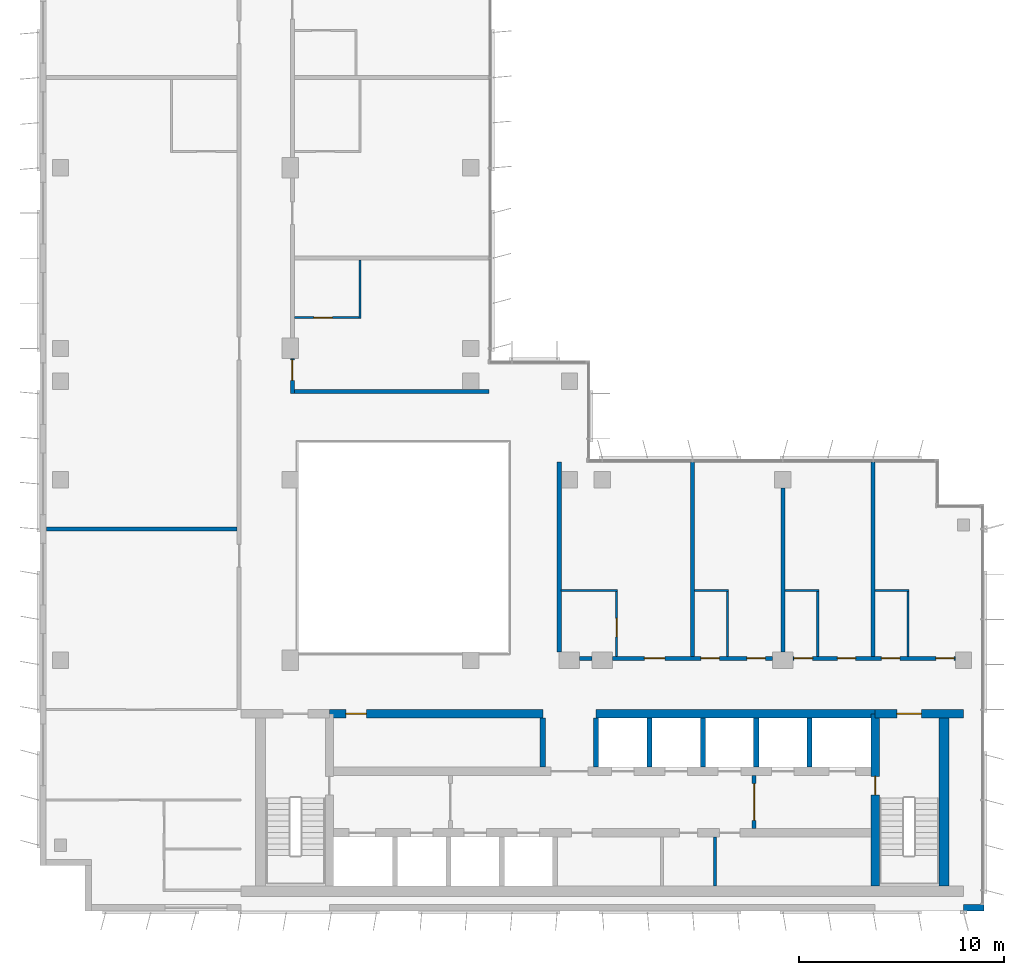
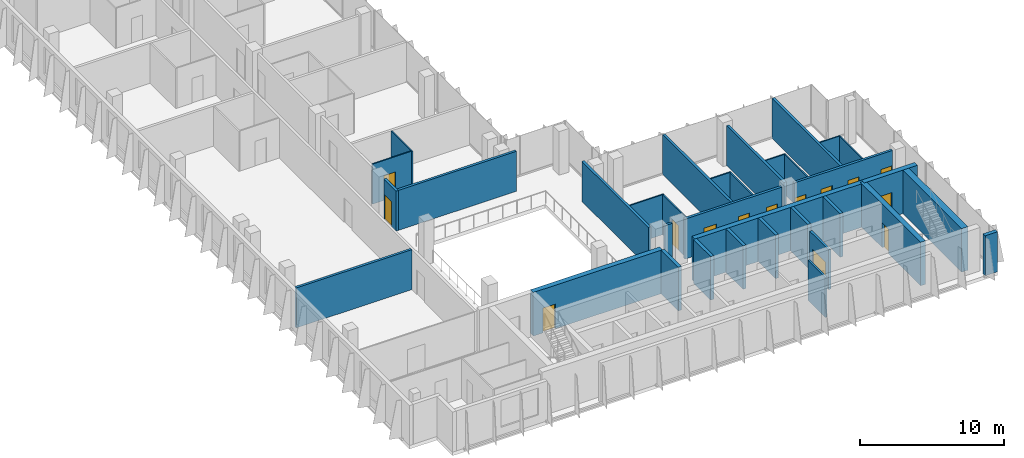
# One storey, part 10 of 15: 34 walls, 14 doors, 14 openings.
"""IFC4 building model written with IfcOpenShell, lengths in metres."""

import ifcopenshell
import ifcopenshell.guid

model = None  # the IFC model being written
_history = None  # IfcOwnerHistory: only IFC2X3 demands one
_inside = {}  # id of a spatial element -> (the spatial element, [elements in it])
_under = {}  # id of a project, library or spatial element -> (it, [spatial elements below it])
_declared = {}  # id of a project -> (the project, [libraries it declares])
_typed = {}  # id of a type object -> (the type object, [elements of that type])
_made_of = {}  # id of a material, layer set ... -> (it, [elements and type objects made of it])


def new_model(schema):
    """Start an empty IFC model of exactly this schema.

    Asked for "IFC4X3", IfcOpenShell would pick the latest addendum, in which some entities
    have other attributes; the version numbers below select the first issue.
    IFC2X3 requires an IfcOwnerHistory on every rooted entity: one is made here for all.
    """
    global model, _history
    if schema == "IFC4X3":
        model = ifcopenshell.file(schema_version=(4, 3, 0, 0))
    else:
        model = ifcopenshell.file(schema=schema)
    _inside.clear()
    _under.clear()
    _declared.clear()
    _typed.clear()
    _made_of.clear()
    _history = None
    if model.schema == "IFC2X3":
        org = make("IfcOrganization", Name="unknown")
        user = make(
            "IfcPersonAndOrganization",
            ThePerson=make("IfcPerson", FamilyName="unknown"),
            TheOrganization=org,
        )
        app = make(
            "IfcApplication",
            ApplicationDeveloper=org,
            Version="unknown",
            ApplicationFullName="unknown",
            ApplicationIdentifier="unknown",
        )
        _history = make(
            "IfcOwnerHistory",
            OwningUser=user,
            OwningApplication=app,
            ChangeAction="ADDED",
            CreationDate=0,
        )
    return model


def make(cls, **values):
    """One entity of the class cls with the attributes given. An attribute that is None is left unset."""
    return model.create_entity(
        cls, **{name: value for name, value in values.items() if value is not None}
    )


def rooted(cls, **values):
    """An entity with a GlobalId (a new one), such as an element, a storey or a relation."""
    return make(cls, GlobalId=ifcopenshell.guid.new(), OwnerHistory=_history, **values)


def si_unit(unit_type, name, prefix=None):
    """IfcSIUnit, for example si_unit("LENGTHUNIT", "METRE", prefix="MILLI")."""
    return make("IfcSIUnit", UnitType=unit_type, Prefix=prefix, Name=name)


def assignment(units):
    """IfcUnitAssignment: the units of a project."""
    return None if units is None else make("IfcUnitAssignment", Units=units)


def point(xyz):
    """IfcCartesianPoint."""
    return None if xyz is None else make("IfcCartesianPoint", Coordinates=xyz)


def direction(xyz):
    """IfcDirection."""
    return None if xyz is None else make("IfcDirection", DirectionRatios=xyz)


def frame(location, z_axis=None, x_axis=None):
    """IfcAxis2Placement3D, a coordinate frame: its origin and axes. An axis left out is left unset."""
    return make(
        "IfcAxis2Placement3D",
        Location=point(location),
        Axis=direction(z_axis),
        RefDirection=direction(x_axis),
    )


def frame_2d(location, x_axis=None):
    """IfcAxis2Placement2D, a coordinate frame in the plane: its origin and x axis."""
    return make(
        "IfcAxis2Placement2D", Location=point(location), RefDirection=direction(x_axis)
    )


def origin():
    """The frame at (0, 0, 0) with its axes left unset."""
    return frame((0.0, 0.0, 0.0))


def place(relative_to, where):
    """IfcLocalPlacement: puts the frame where relative to a parent placement (None: the world)."""
    return make(
        "IfcLocalPlacement", PlacementRelTo=relative_to, RelativePlacement=where
    )


def context(
    kind, dimensions, precision=None, world=None, true_north=None, identifier=None
):
    """IfcGeometricRepresentationContext, for example the 3D "Model" context."""
    return make(
        "IfcGeometricRepresentationContext",
        ContextIdentifier=identifier,
        ContextType=kind,
        CoordinateSpaceDimension=dimensions,
        Precision=precision,
        WorldCoordinateSystem=world,
        TrueNorth=true_north,
    )


def subcontext(parent, identifier, kind, view, scale=None):
    """IfcGeometricRepresentationSubContext, for example "Body" below "Model"."""
    return make(
        "IfcGeometricRepresentationSubContext",
        ContextIdentifier=identifier,
        ContextType=kind,
        ParentContext=parent,
        TargetScale=scale,
        TargetView=view,
    )


def project(units=None, contexts=None):
    """IfcProject with its units and contexts."""
    return rooted(
        "IfcProject",
        Name="project",
        RepresentationContexts=contexts,
        UnitsInContext=assignment(units),
    )


def spatial(cls, under=None, at=None, **own):
    """A site, building, storey or space (cls), placed at a placement, below another one or the project."""
    s = rooted(cls, ObjectPlacement=at, **own)
    if under is not None:
        _under.setdefault(under.id(), (under, []))[1].append(s)
    return s


def profile(cls, at=None, kind="AREA", **sizes):
    """A parametric profile (cls). Its sizes go by their IFC names, for example OverallWidth=200.0."""
    return make(cls, ProfileType=kind, Position=at, **sizes)


def rectangle(**sizes):
    """IfcRectangleProfileDef."""
    return profile("IfcRectangleProfileDef", **sizes)


def extrude(swept, where, along, depth):
    """IfcExtrudedAreaSolid: the profile swept, set in the frame where, extruded along a direction by depth."""
    return make(
        "IfcExtrudedAreaSolid",
        SweptArea=swept,
        Position=where,
        ExtrudedDirection=direction(along),
        Depth=depth,
    )


def shape(context_of_items, identifier, shape_type, items):
    """IfcShapeRepresentation: the items that make up one representation, for example the "Body"."""
    return make(
        "IfcShapeRepresentation",
        ContextOfItems=context_of_items,
        RepresentationIdentifier=identifier,
        RepresentationType=shape_type,
        Items=items,
    )


def material(Name=None, Category=None):
    """IfcMaterial."""
    return make("IfcMaterial", Name=Name, Category=Category)


def layer(
    of_material, thickness, ventilated=None, Name=None, Category=None, Priority=None
):
    """IfcMaterialLayer: one layer of a wall or slab, of a material (None: an air gap)."""
    return make(
        "IfcMaterialLayer",
        Material=of_material,
        LayerThickness=thickness,
        IsVentilated=ventilated,
        Name=Name,
        Category=Category,
        Priority=Priority,
    )


def layer_set(layers, Name=None):
    """IfcMaterialLayerSet."""
    return make("IfcMaterialLayerSet", MaterialLayers=layers, LayerSetName=Name)


def made_of(thing, what):
    """Note that an element or type object is made of a material, layer set ...; save() writes the relation."""
    if what is not None:
        _made_of.setdefault(what.id(), (what, []))[1].append(thing)
    return thing


def type_object(cls, material=None, **own):
    """A type object (cls), such as IfcWallType, which elements share."""
    return made_of(rooted(cls, **own), material)


def element(
    cls,
    number,
    at=None,
    inside=None,
    cuts=None,
    type_object=None,
    material=None,
    context=None,
    identifier="Body",
    shape_type=None,
    held_by="IfcProductDefinitionShape",
    body=None,
    shapes=None,
    **own,
):
    """One element of the class cls, such as IfcWall. Its Tag is "e" and its number.

    at: its placement. inside: the storey or other place that contains it. cuts: it is an
    opening in that element (IfcRelVoidsElement). A single representation is given by context,
    identifier, shape_type and body (its items); several are given by shapes. held_by: the class
    of the entity that holds the representations. save() writes the other relations.
    """
    e = rooted(cls, Tag="e%d" % number, ObjectPlacement=at, **own)
    if body is not None:
        shapes = [shape(context, identifier, shape_type, body)]
    if shapes is not None:
        e.Representation = make(held_by, Representations=shapes)
    if inside is not None:
        _inside.setdefault(inside.id(), (inside, []))[1].append(e)
    if cuts is not None:
        rooted(
            "IfcRelVoidsElement", RelatingBuildingElement=cuts, RelatedOpeningElement=e
        )
    if type_object is not None:
        _typed.setdefault(type_object.id(), (type_object, []))[1].append(e)
    return made_of(e, material)


def fill(opening, filler):
    """IfcRelFillsElement: the door or window that sits in an opening."""
    return rooted(
        "IfcRelFillsElement",
        RelatingOpeningElement=opening,
        RelatedBuildingElement=filler,
    )


def aggregate(whole, parts):
    """IfcRelAggregates: a whole, such as a stair, and the parts it consists of."""
    return rooted("IfcRelAggregates", RelatingObject=whole, RelatedObjects=parts)


def save(model, path):
    """Write the relations noted so far, then the file.

    IfcRelAggregates (storeys below a building ...), IfcRelContainedInSpatialStructure (elements
    in a storey), IfcRelDefinesByType, IfcRelAssociatesMaterial and IfcRelDeclares: one each for
    every whole, place, type object, material and project.
    """
    for whole, parts in _under.values():
        aggregate(whole, parts)
    for where, things in _inside.values():
        rooted(
            "IfcRelContainedInSpatialStructure",
            RelatedElements=things,
            RelatingStructure=where,
        )
    for kind, things in _typed.values():
        rooted("IfcRelDefinesByType", RelatedObjects=things, RelatingType=kind)
    for what, things in _made_of.values():
        rooted("IfcRelAssociatesMaterial", RelatedObjects=things, RelatingMaterial=what)
    for by, libraries in _declared.values():
        rooted("IfcRelDeclares", RelatingContext=by, RelatedDefinitions=libraries)
    model.write(path)


model = new_model("IFC4")

# Units and contexts
model_context = context("Model", 3, precision=1e-05, world=origin(), true_north=direction((0.0, 1.0)))
body_context = subcontext(model_context, "Body", "Model", "MODEL_VIEW")
ifc_project = project(units=[si_unit("LENGTHUNIT", "METRE"), si_unit("AREAUNIT", "SQUARE_METRE"), si_unit("VOLUMEUNIT", "CUBIC_METRE"), si_unit("PLANEANGLEUNIT", "RADIAN"), si_unit("MASSUNIT", "GRAM", prefix="KILO")], contexts=[model_context])

# Site, building, storey
site_placement = place(None, origin())
site = spatial("IfcSite", under=ifc_project, at=site_placement, CompositionType="ELEMENT")
building_placement = place(site_placement, origin())
building = spatial("IfcBuilding", under=site, at=building_placement, Name="Kemantara Hotel Tower", CompositionType="ELEMENT")
storey_placement = place(building_placement, frame((0.0, 0.0, 298.10009765625)))
storey = spatial("IfcBuildingStorey", under=building, at=storey_placement, Name="L75", CompositionType="ELEMENT", Elevation=298.10009765625)

# Walls
ifc_material_1 = material(Name="Bronze anodised aluminium cladding on insulated steel stud wall", Category="steel")
ifc_layer_1 = layer(ifc_material_1, 0.300048828125)
ifc_layer_set_1 = layer_set([ifc_layer_1], Name="Bronze anodised aluminium cladding on insulated steel stud wall")
wall_type_1 = type_object("IfcWallType", Name="BRONZE METAL-CLAD EXTERNAL WALL 300", PredefinedType="STANDARD", material=ifc_layer_set_1)
wall_1_placement = place(storey_placement, frame((45.0, 0.14990234375, 0.0), z_axis=(0.0, 0.0, 1.0), x_axis=(1.0, 0.0, 0.0)))
element("IfcWall", 1, at=wall_1_placement, inside=storey, type_object=wall_type_1, Name="EXTERNAL WALL L75 T4-R08-3", PredefinedType="STANDARD", context=body_context, shape_type="SweptSolid", body=[
    extrude(rectangle(XDim=1.0, YDim=0.300048828125, at=frame_2d((0.5, 0.0))), origin(), (0.0, 0.0, 1.0), 3.39990234375),
])
ifc_material_2 = material(Name="Concrete fc 50 MPa", Category="concrete")
ifc_layer_2 = layer(ifc_material_2, 0.25)
ifc_layer_set_2 = layer_set([ifc_layer_2], Name="Concrete fc 50 MPa")
wall_type_2 = type_object("IfcWallType", Name="CORE WALL 250 FC50", PredefinedType="SHEAR", material=ifc_layer_set_2)
for number, where, z_axis, x_axis, name in (
    (2, (24.5, 7.0, 0.0), (0.0, 0.0, 1.0), (0.0, 1.0, 0.0), "CORE WALL CW-DN24.5"),
    (3, (27.10009765625, 7.0, 0.0), (0.0, 0.0, 1.0), (0.0, 1.0, 0.0), "CORE WALL CW-DN27.1"),
    (4, (29.699951171875, 7.0, 0.0), (0.0, 0.0, 1.0), (0.0, 1.0, 0.0), "CORE WALL CW-DN29.7"),
    (5, (32.300048828125, 7.0, 0.0), (0.0, 0.0, 1.0), (0.0, 1.0, 0.0), "CORE WALL CW-DN32.3"),
    (6, (34.89990234375, 7.0, 0.0), (0.0, 0.0, 1.0), (0.0, 1.0, 0.0), "CORE WALL CW-DN34.9"),
    (7, (37.5, 7.0, 0.0), (0.0, 0.0, 1.0), (0.0, 1.0, 0.0), "CORE WALL CW-DN37.5"),
):
    element("IfcWall", number, at=place(storey_placement, frame(where, z_axis=z_axis, x_axis=x_axis)), inside=storey, type_object=wall_type_2, Name=name, PredefinedType="SHEAR", context=body_context, shape_type="SweptSolid", body=[
        extrude(rectangle(XDim=2.39990234375, YDim=0.25, at=frame_2d((1.199951171875, 0.0))), origin(), (0.0, 0.0, 1.0), 3.699951171875),
    ])

# Wall, opening, door
ifc_layer_3 = layer(ifc_material_2, 0.39990234375)
ifc_layer_set_3 = layer_set([ifc_layer_3], Name="Concrete fc 50 MPa")
wall_type_3 = type_object("IfcWallType", Name="CORE WALL 400 FC50", PredefinedType="SHEAR", material=ifc_layer_set_3)
wall_2_placement = place(storey_placement, frame((40.699951171875, 9.60009765625, 0.0), z_axis=(0.0, 0.0, 1.0), x_axis=(1.0, 0.0, 0.0)))
wall_2 = element("IfcWall", 8, at=wall_2_placement, inside=storey, type_object=wall_type_3, Name="CORE WALL CW-N2", PredefinedType="SHEAR", context=body_context, shape_type="SweptSolid", body=[
    extrude(rectangle(XDim=4.300048828125, YDim=0.39990234375, at=frame_2d((2.14990234375, 0.0))), origin(), (0.0, 0.0, 1.0), 3.699951171875),
])
opening_1_placement = place(wall_2_placement, frame((1.050048828125, 0.0, 0.0)))
opening_1 = element("IfcOpeningElement", 9, at=opening_1_placement, cuts=wall_2, Name="Opening C42-ST2-C", PredefinedType="OPENING", context=body_context, shape_type="SweptSolid", body=[
    extrude(rectangle(XDim=1.199951171875, YDim=2.10009765625, at=frame_2d((0.60009765625, 1.050048828125))), frame((0.0, 0.2099609375, 0.0), z_axis=(0.0, -1.0, 0.0), x_axis=(1.0, 0.0, 0.0)), (0.0, 0.0, 1.0), 0.419921875),
])
ifc_material_3 = material(Name="Steel fire door", Category="steel")
door_type_1 = type_object("IfcDoorType", Name="Fire door FD90 1200 x 2100", OperationType="NOTDEFINED", PredefinedType="DOOR", material=ifc_material_3)
door_1_placement = place(opening_1_placement, frame((1.199951171875, 0.0, 0.0), z_axis=(0.0, 0.0, 1.0), x_axis=(-1.0, 0.0, 0.0)))
door_1 = element("IfcDoor", 10, at=door_1_placement, inside=storey, type_object=door_type_1, Name="Stair ST2 door to corridor", OperationType="SINGLE_SWING_RIGHT", OverallHeight=2.10009765625, OverallWidth=1.199951171875, PredefinedType="DOOR", context=body_context, shape_type="SweptSolid", body=[
    extrude(rectangle(XDim=1.199951171875, YDim=2.10009765625, at=frame_2d((0.60009765625, 1.050048828125))), frame((0.0, 0.02490234375, 0.0), z_axis=(0.0, -1.0, 0.0), x_axis=(1.0, 0.0, 0.0)), (0.0, 0.0, 1.0), 0.050048828125),
])
fill(opening_1, door_1)

wall_3_placement = place(storey_placement, frame((14.10009765625, 9.60009765625, 0.0), z_axis=(0.0, 0.0, 1.0), x_axis=(1.0, 0.0, 0.0)))
wall_3 = element("IfcWall", 11, at=wall_3_placement, inside=storey, type_object=wall_type_3, Name="CORE WALL CW-NN1", PredefinedType="SHEAR", context=body_context, shape_type="SweptSolid", body=[
    extrude(rectangle(XDim=10.39990234375, YDim=0.39990234375, at=frame_2d((5.199951171875, 0.0))), origin(), (0.0, 0.0, 1.0), 3.699951171875),
])
opening_2_placement = place(wall_3_placement, frame((0.800048828125, 0.0, 0.0)))
opening_2 = element("IfcOpeningElement", 12, at=opening_2_placement, cuts=wall_3, Name="Opening C42-R-NW1", PredefinedType="OPENING", context=body_context, shape_type="SweptSolid", body=[
    extrude(rectangle(XDim=1.0, YDim=2.10009765625, at=frame_2d((0.5, 1.050048828125))), frame((0.0, 0.2099609375, 0.0), z_axis=(0.0, -1.0, 0.0), x_axis=(1.0, 0.0, 0.0)), (0.0, 0.0, 1.0), 0.419921875),
])
door_type_2 = type_object("IfcDoorType", Name="Fire door FD30S 1000 x 2100", OperationType="NOTDEFINED", PredefinedType="DOOR", material=ifc_material_3)
door_2_placement = place(opening_2_placement, frame((1.0, 0.0, 0.0), z_axis=(0.0, 0.0, 1.0), x_axis=(-1.0, 0.0, 0.0)))
door_2 = element("IfcDoor", 13, at=door_2_placement, inside=storey, type_object=door_type_2, Name="Linen Store door", OperationType="SINGLE_SWING_RIGHT", OverallHeight=2.10009765625, OverallWidth=1.0, PredefinedType="DOOR", context=body_context, shape_type="SweptSolid", body=[
    extrude(rectangle(XDim=1.0, YDim=2.10009765625, at=frame_2d((0.5, 1.050048828125))), frame((0.0, 0.02490234375, 0.0), z_axis=(0.0, -1.0, 0.0), x_axis=(1.0, 0.0, 0.0)), (0.0, 0.0, 1.0), 0.050048828125),
])
fill(opening_2, door_2)

# Wall
wall_4_placement = place(storey_placement, frame((27.10009765625, 9.60009765625, 0.0), z_axis=(0.0, 0.0, 1.0), x_axis=(1.0, 0.0, 0.0)))
element("IfcWall", 14, at=wall_4_placement, inside=storey, type_object=wall_type_3, Name="CORE WALL CW-NN2", PredefinedType="SHEAR", context=body_context, shape_type="SweptSolid", body=[
    extrude(rectangle(XDim=13.599853515625, YDim=0.39990234375, at=frame_2d((6.7998046875, 0.0))), origin(), (0.0, 0.0, 1.0), 3.699951171875),
])

# Wall, opening, door
wall_5_placement = place(storey_placement, frame((40.699951171875, 1.199951171875, 0.0), z_axis=(0.0, 0.0, 1.0), x_axis=(0.0, 1.0, 0.0)))
wall_5 = element("IfcWall", 15, at=wall_5_placement, inside=storey, type_object=wall_type_3, Name="CORE WALL CW-ST2W", PredefinedType="SHEAR", context=body_context, shape_type="SweptSolid", body=[
    extrude(rectangle(XDim=8.400146484375, YDim=0.39990234375, at=frame_2d((4.2001953125, 0.0))), origin(), (0.0, 0.0, 1.0), 3.699951171875),
])
opening_3_placement = place(wall_5_placement, frame((4.449951171875, 0.0, 0.0)))
opening_3 = element("IfcOpeningElement", 16, at=opening_3_placement, cuts=wall_5, Name="Opening C42-ST2-F", PredefinedType="OPENING", context=body_context, shape_type="SweptSolid", body=[
    extrude(rectangle(XDim=0.89990234375, YDim=2.10009765625, at=frame_2d((0.449951171875, 1.050048828125))), frame((0.0, 0.2099609375, 0.0), z_axis=(0.0, -1.0, 0.0), x_axis=(1.0, 0.0, 0.0)), (0.0, 0.0, 1.0), 0.419921875),
])
door_type_3 = type_object("IfcDoorType", Name="Fire door FD90 900 x 2100", OperationType="NOTDEFINED", PredefinedType="DOOR", material=ifc_material_3)
door_3_placement = place(opening_3_placement, frame((0.89990234375, 0.0, 0.0), z_axis=(0.0, 0.0, 1.0), x_axis=(-1.0, 0.0, 0.0)))
door_3 = element("IfcDoor", 17, at=door_3_placement, inside=storey, type_object=door_type_3, Name="Stair ST2 door to firefighting lobby", OperationType="SINGLE_SWING_LEFT", OverallHeight=2.10009765625, OverallWidth=0.89990234375, PredefinedType="DOOR", context=body_context, shape_type="SweptSolid", body=[
    extrude(rectangle(XDim=0.89990234375, YDim=2.10009765625, at=frame_2d((0.449951171875, 1.050048828125))), frame((0.0, 0.02490234375, 0.0), z_axis=(0.0, -1.0, 0.0), x_axis=(1.0, 0.0, 0.0)), (0.0, 0.0, 1.0), 0.050048828125),
])
fill(opening_3, door_3)

# Walls
ifc_layer_4 = layer(ifc_material_2, 0.5)
ifc_layer_set_4 = layer_set([ifc_layer_4], Name="Concrete fc 50 MPa")
wall_type_4 = type_object("IfcWallType", Name="CORE WALL 500 FC50", PredefinedType="SHEAR", material=ifc_layer_set_4)
wall_6_placement = place(storey_placement, frame((44.050048828125, 1.199951171875, 0.0), z_axis=(0.0, 0.0, 1.0), x_axis=(0.0, 1.0, 0.0)))
element("IfcWall", 18, at=wall_6_placement, inside=storey, type_object=wall_type_4, Name="CORE WALL CW-E", PredefinedType="SHEAR", context=body_context, shape_type="SweptSolid", body=[
    extrude(rectangle(XDim=8.60009765625, YDim=0.5, at=frame_2d((4.300048828125, 0.0))), origin(), (0.0, 0.0, 1.0), 3.699951171875),
])
ifc_material_4 = material(Name="Gypsum board partition, steel studs and mineral wool, 200 mm", Category="steel")
ifc_layer_5 = layer(ifc_material_4, 0.199951171875)
ifc_layer_set_5 = layer_set([ifc_layer_5], Name="Gypsum board partition, steel studs and mineral wool, 200 mm")
wall_type_5 = type_object("IfcWallType", Name="CORRIDOR WALL 200", PredefinedType="PARTITIONING", material=ifc_layer_set_5)
wall_7_placement = place(storey_placement, frame((26.300048828125, 12.300048828125, 0.0), z_axis=(0.0, 0.0, 1.0), x_axis=(1.0, 0.0, 0.0)))
element("IfcWall", 19, at=wall_7_placement, inside=storey, type_object=wall_type_5, Name="CORRIDOR WALL 200 001", PredefinedType="PARTITIONING", context=body_context, shape_type="SweptSolid", body=[
    extrude(rectangle(XDim=0.599853515625, YDim=0.199951171875, at=frame_2d((0.2998046875, 0.0))), origin(), (0.0, 0.0, 1.0), 3.39990234375),
])

# Wall, openings, doors
wall_8_placement = place(storey_placement, frame((27.900146484375, 12.300048828125, 0.0), z_axis=(0.0, 0.0, 1.0), x_axis=(1.0, 0.0, 0.0)))
wall_8 = element("IfcWall", 20, at=wall_8_placement, inside=storey, type_object=wall_type_5, Name="CORRIDOR WALL 200 002", PredefinedType="PARTITIONING", context=body_context, shape_type="SweptSolid", body=[
    extrude(rectangle(XDim=7.7998046875, YDim=0.199951171875, at=frame_2d((3.89990234375, 0.0))), origin(), (0.0, 0.0, 1.0), 3.39990234375),
])
opening_4_placement = place(wall_8_placement, frame((1.5498046875, 0.0, 0.0)))
opening_4 = element("IfcOpeningElement", 21, at=opening_4_placement, cuts=wall_8, Name="Opening F37-001", PredefinedType="OPENING", context=body_context, shape_type="SweptSolid", body=[
    extrude(rectangle(XDim=1.0, YDim=2.10009765625, at=frame_2d((0.5, 1.050048828125))), frame((0.0, 0.10986328125, 0.0), z_axis=(0.0, -1.0, 0.0), x_axis=(1.0, 0.0, 0.0)), (0.0, 0.0, 1.0), 0.219970703125),
])
opening_5_placement = place(wall_8_placement, frame((6.5498046875, 0.0, 0.0)))
opening_5 = element("IfcOpeningElement", 22, at=opening_5_placement, cuts=wall_8, Name="Opening F37-003", PredefinedType="OPENING", context=body_context, shape_type="SweptSolid", body=[
    extrude(rectangle(XDim=0.89990234375, YDim=2.10009765625, at=frame_2d((0.449951171875, 1.050048828125))), frame((0.0, 0.10986328125, 0.0), z_axis=(0.0, -1.0, 0.0), x_axis=(1.0, 0.0, 0.0)), (0.0, 0.0, 1.0), 0.219970703125),
])
opening_6_placement = place(wall_8_placement, frame((4.2998046875, 0.0, 0.0)))
opening_6 = element("IfcOpeningElement", 23, at=opening_6_placement, cuts=wall_8, Name="Opening F37-004", PredefinedType="OPENING", context=body_context, shape_type="SweptSolid", body=[
    extrude(rectangle(XDim=0.89990234375, YDim=2.10009765625, at=frame_2d((0.449951171875, 1.050048828125))), frame((0.0, 0.10986328125, 0.0), z_axis=(0.0, -1.0, 0.0), x_axis=(1.0, 0.0, 0.0)), (0.0, 0.0, 1.0), 0.219970703125),
])
ifc_material_5 = material(Name="Hardwood veneer door leaf with steel frame", Category="steel")
door_type_4 = type_object("IfcDoorType", Name="GUEST ROOM DOOR 1000 X 2100 FD30S", OperationType="NOTDEFINED", PredefinedType="DOOR", material=ifc_material_5)
door_4_placement = place(opening_4_placement, origin())
door_4 = element("IfcDoor", 24, at=door_4_placement, inside=storey, type_object=door_type_4, Name="GUEST ROOM DOOR F37-001", OperationType="SINGLE_SWING_RIGHT", OverallHeight=2.10009765625, OverallWidth=1.0, PredefinedType="DOOR", context=body_context, shape_type="SweptSolid", body=[
    extrude(rectangle(XDim=1.0, YDim=2.10009765625, at=frame_2d((0.5, 1.050048828125))), frame((0.0, 0.02490234375, 0.0), z_axis=(0.0, -1.0, 0.0), x_axis=(1.0, 0.0, 0.0)), (0.0, 0.0, 1.0), 0.050048828125),
])
fill(opening_4, door_4)
ifc_material_6 = material(Name="Steel door leaf with steel frame", Category="steel")
door_type_5 = type_object("IfcDoorType", Name="SERVICE ROOM DOOR 900 X 2100 FD60", OperationType="NOTDEFINED", PredefinedType="DOOR", material=ifc_material_6)
door_5_placement = place(opening_5_placement, origin())
door_5 = element("IfcDoor", 25, at=door_5_placement, inside=storey, type_object=door_type_5, Name="SERVICE ROOM DOOR F37-003", OperationType="SINGLE_SWING_RIGHT", OverallHeight=2.10009765625, OverallWidth=0.89990234375, PredefinedType="DOOR", context=body_context, shape_type="SweptSolid", body=[
    extrude(rectangle(XDim=0.89990234375, YDim=2.10009765625, at=frame_2d((0.449951171875, 1.050048828125))), frame((0.0, 0.02490234375, 0.0), z_axis=(0.0, -1.0, 0.0), x_axis=(1.0, 0.0, 0.0)), (0.0, 0.0, 1.0), 0.050048828125),
])
fill(opening_5, door_5)
door_6_placement = place(opening_6_placement, origin())
door_6 = element("IfcDoor", 26, at=door_6_placement, inside=storey, type_object=door_type_5, Name="SERVICE ROOM DOOR F37-004", OperationType="SINGLE_SWING_LEFT", OverallHeight=2.10009765625, OverallWidth=0.89990234375, PredefinedType="DOOR", context=body_context, shape_type="SweptSolid", body=[
    extrude(rectangle(XDim=0.89990234375, YDim=2.10009765625, at=frame_2d((0.449951171875, 1.050048828125))), frame((0.0, 0.02490234375, 0.0), z_axis=(0.0, -1.0, 0.0), x_axis=(1.0, 0.0, 0.0)), (0.0, 0.0, 1.0), 0.050048828125),
])
fill(opening_6, door_6)

wall_9_placement = place(storey_placement, frame((36.7001953125, 12.300048828125, 0.0), z_axis=(0.0, 0.0, 1.0), x_axis=(1.0, 0.0, 0.0)))
wall_9 = element("IfcWall", 27, at=wall_9_placement, inside=storey, type_object=wall_type_5, Name="CORRIDOR WALL 200 003", PredefinedType="PARTITIONING", context=body_context, shape_type="SweptSolid", body=[
    extrude(rectangle(XDim=7.899658203125, YDim=0.199951171875, at=frame_2d((3.94970703125, 0.0))), origin(), (0.0, 0.0, 1.0), 3.39990234375),
])
opening_7_placement = place(wall_9_placement, frame((2.14990234375, 0.0, 0.0)))
opening_7 = element("IfcOpeningElement", 28, at=opening_7_placement, cuts=wall_9, Name="Opening F37-005", PredefinedType="OPENING", context=body_context, shape_type="SweptSolid", body=[
    extrude(rectangle(XDim=0.89990234375, YDim=2.10009765625, at=frame_2d((0.449951171875, 1.050048828125))), frame((0.0, 0.10986328125, 0.0), z_axis=(0.0, -1.0, 0.0), x_axis=(1.0, 0.0, 0.0)), (0.0, 0.0, 1.0), 0.219970703125),
])
opening_8_placement = place(wall_9_placement, frame((0.0498046875, 0.0, 0.0)))
opening_8 = element("IfcOpeningElement", 29, at=opening_8_placement, cuts=wall_9, Name="Opening F37-006", PredefinedType="OPENING", context=body_context, shape_type="SweptSolid", body=[
    extrude(rectangle(XDim=0.89990234375, YDim=2.10009765625, at=frame_2d((0.449951171875, 1.050048828125))), frame((0.0, 0.10986328125, 0.0), z_axis=(0.0, -1.0, 0.0), x_axis=(1.0, 0.0, 0.0)), (0.0, 0.0, 1.0), 0.219970703125),
])
opening_9_placement = place(wall_9_placement, frame((6.949951171875, 0.0, 0.0)))
opening_9 = element("IfcOpeningElement", 30, at=opening_9_placement, cuts=wall_9, Name="Opening F37-007", PredefinedType="OPENING", context=body_context, shape_type="SweptSolid", body=[
    extrude(rectangle(XDim=0.89990234375, YDim=2.10009765625, at=frame_2d((0.449951171875, 1.050048828125))), frame((0.0, 0.10986328125, 0.0), z_axis=(0.0, -1.0, 0.0), x_axis=(1.0, 0.0, 0.0)), (0.0, 0.0, 1.0), 0.219970703125),
])
opening_10_placement = place(wall_9_placement, frame((4.2998046875, 0.0, 0.0)))
opening_10 = element("IfcOpeningElement", 31, at=opening_10_placement, cuts=wall_9, Name="Opening F37-008", PredefinedType="OPENING", context=body_context, shape_type="SweptSolid", body=[
    extrude(rectangle(XDim=0.89990234375, YDim=2.10009765625, at=frame_2d((0.449951171875, 1.050048828125))), frame((0.0, 0.10986328125, 0.0), z_axis=(0.0, -1.0, 0.0), x_axis=(1.0, 0.0, 0.0)), (0.0, 0.0, 1.0), 0.219970703125),
])
door_7_placement = place(opening_7_placement, origin())
door_7 = element("IfcDoor", 32, at=door_7_placement, inside=storey, type_object=door_type_5, Name="SERVICE ROOM DOOR F37-005", OperationType="SINGLE_SWING_RIGHT", OverallHeight=2.10009765625, OverallWidth=0.89990234375, PredefinedType="DOOR", context=body_context, shape_type="SweptSolid", body=[
    extrude(rectangle(XDim=0.89990234375, YDim=2.10009765625, at=frame_2d((0.449951171875, 1.050048828125))), frame((0.0, 0.02490234375, 0.0), z_axis=(0.0, -1.0, 0.0), x_axis=(1.0, 0.0, 0.0)), (0.0, 0.0, 1.0), 0.050048828125),
])
fill(opening_7, door_7)
door_8_placement = place(opening_8_placement, origin())
door_8 = element("IfcDoor", 33, at=door_8_placement, inside=storey, type_object=door_type_5, Name="SERVICE ROOM DOOR F37-006", OperationType="SINGLE_SWING_LEFT", OverallHeight=2.10009765625, OverallWidth=0.89990234375, PredefinedType="DOOR", context=body_context, shape_type="SweptSolid", body=[
    extrude(rectangle(XDim=0.89990234375, YDim=2.10009765625, at=frame_2d((0.449951171875, 1.050048828125))), frame((0.0, 0.02490234375, 0.0), z_axis=(0.0, -1.0, 0.0), x_axis=(1.0, 0.0, 0.0)), (0.0, 0.0, 1.0), 0.050048828125),
])
fill(opening_8, door_8)
door_9_placement = place(opening_9_placement, origin())
door_9 = element("IfcDoor", 34, at=door_9_placement, inside=storey, type_object=door_type_5, Name="SERVICE ROOM DOOR F37-007", OperationType="SINGLE_SWING_RIGHT", OverallHeight=2.10009765625, OverallWidth=0.89990234375, PredefinedType="DOOR", context=body_context, shape_type="SweptSolid", body=[
    extrude(rectangle(XDim=0.89990234375, YDim=2.10009765625, at=frame_2d((0.449951171875, 1.050048828125))), frame((0.0, 0.02490234375, 0.0), z_axis=(0.0, -1.0, 0.0), x_axis=(1.0, 0.0, 0.0)), (0.0, 0.0, 1.0), 0.050048828125),
])
fill(opening_9, door_9)
door_10_placement = place(opening_10_placement, origin())
door_10 = element("IfcDoor", 35, at=door_10_placement, inside=storey, type_object=door_type_5, Name="SERVICE ROOM DOOR F37-008", OperationType="SINGLE_SWING_LEFT", OverallHeight=2.10009765625, OverallWidth=0.89990234375, PredefinedType="DOOR", context=body_context, shape_type="SweptSolid", body=[
    extrude(rectangle(XDim=0.89990234375, YDim=2.10009765625, at=frame_2d((0.449951171875, 1.050048828125))), frame((0.0, 0.02490234375, 0.0), z_axis=(0.0, -1.0, 0.0), x_axis=(1.0, 0.0, 0.0)), (0.0, 0.0, 1.0), 0.050048828125),
])
fill(opening_10, door_10)

# Wall, opening, door
wall_10_placement = place(storey_placement, frame((12.300048828125, 26.89990234375, 0.0), z_axis=(0.0, 0.0, 1.0), x_axis=(0.0, -1.0, 0.0)))
wall_10 = element("IfcWall", 36, at=wall_10_placement, inside=storey, type_object=wall_type_5, Name="CORRIDOR WALL 200 014", PredefinedType="PARTITIONING", context=body_context, shape_type="SweptSolid", body=[
    extrude(rectangle(XDim=1.699951171875, YDim=0.199951171875, at=frame_2d((0.85009765625, 0.0))), origin(), (0.0, 0.0, 1.0), 3.39990234375),
])
opening_11_placement = place(wall_10_placement, frame((0.0498046875, 0.0, 0.0)))
opening_11 = element("IfcOpeningElement", 37, at=opening_11_placement, cuts=wall_10, Name="Opening F37-020", PredefinedType="OPENING", context=body_context, shape_type="SweptSolid", body=[
    extrude(rectangle(XDim=1.0, YDim=2.10009765625, at=frame_2d((0.5, 1.050048828125))), frame((0.0, 0.10986328125, 0.0), z_axis=(0.0, -1.0, 0.0), x_axis=(1.0, 0.0, 0.0)), (0.0, 0.0, 1.0), 0.219970703125),
])
door_11_placement = place(opening_11_placement, origin())
door_11 = element("IfcDoor", 38, at=door_11_placement, inside=storey, type_object=door_type_4, Name="GUEST ROOM DOOR F37-020", OperationType="SINGLE_SWING_RIGHT", OverallHeight=2.10009765625, OverallWidth=1.0, PredefinedType="DOOR", context=body_context, shape_type="SweptSolid", body=[
    extrude(rectangle(XDim=1.0, YDim=2.10009765625, at=frame_2d((0.5, 1.050048828125))), frame((0.0, 0.02490234375, 0.0), z_axis=(0.0, -1.0, 0.0), x_axis=(1.0, 0.0, 0.0)), (0.0, 0.0, 1.0), 0.050048828125),
])
fill(opening_11, door_11)

# Walls
ifc_layer_6 = layer(ifc_material_4, 0.199951171875)
ifc_layer_set_6 = layer_set([ifc_layer_6], Name="Gypsum board partition, steel studs and mineral wool, 200 mm")
wall_type_6 = type_object("IfcWallType", Name="GUEST ROOM PARTY WALL 200", PredefinedType="PARTITIONING", material=ifc_layer_set_6)
wall_11_placement = place(storey_placement, frame((25.300048828125, 12.60009765625, 0.0), z_axis=(0.0, 0.0, 1.0), x_axis=(0.0, 1.0, 0.0)))
element("IfcWall", 39, at=wall_11_placement, inside=storey, type_object=wall_type_6, Name="GUEST ROOM PARTY WALL 200 004", PredefinedType="PARTITIONING", context=body_context, shape_type="SweptSolid", body=[
    extrude(rectangle(XDim=9.27001953125, YDim=0.199951171875, at=frame_2d((4.635009765625, 0.0))), origin(), (0.0, 0.0, 1.0), 3.39990234375),
])
wall_12_placement = place(storey_placement, frame((31.800048828125, 12.39990234375, 0.0), z_axis=(0.0, 0.0, 1.0), x_axis=(0.0, 1.0, 0.0)))
element("IfcWall", 40, at=wall_12_placement, inside=storey, type_object=wall_type_6, Name="GUEST ROOM PARTY WALL 200 005", PredefinedType="PARTITIONING", context=body_context, shape_type="SweptSolid", body=[
    extrude(rectangle(XDim=9.47021484375, YDim=0.199951171875, at=frame_2d((4.735107421875, 0.0))), origin(), (0.0, 0.0, 1.0), 3.39990234375),
])
wall_13_placement = place(storey_placement, frame((36.199951171875, 12.60009765625, 0.0), z_axis=(0.0, 0.0, 1.0), x_axis=(0.0, 1.0, 0.0)))
element("IfcWall", 41, at=wall_13_placement, inside=storey, type_object=wall_type_6, Name="GUEST ROOM PARTY WALL 200 006", PredefinedType="PARTITIONING", context=body_context, shape_type="SweptSolid", body=[
    extrude(rectangle(XDim=7.999755859375, YDim=0.199951171875, at=frame_2d((4.0, 0.0))), origin(), (0.0, 0.0, 1.0), 3.39990234375),
])
wall_14_placement = place(storey_placement, frame((40.60009765625, 12.39990234375, 0.0), z_axis=(0.0, 0.0, 1.0), x_axis=(0.0, 1.0, 0.0)))
element("IfcWall", 42, at=wall_14_placement, inside=storey, type_object=wall_type_6, Name="GUEST ROOM PARTY WALL 200 007", PredefinedType="PARTITIONING", context=body_context, shape_type="SweptSolid", body=[
    extrude(rectangle(XDim=9.47021484375, YDim=0.199951171875, at=frame_2d((4.735107421875, 0.0))), origin(), (0.0, 0.0, 1.0), 3.39990234375),
])
wall_15_placement = place(storey_placement, frame((0.31005859375, 18.60009765625, 0.0), z_axis=(0.0, 0.0, 1.0), x_axis=(1.0, 0.0, 0.0)))
element("IfcWall", 43, at=wall_15_placement, inside=storey, type_object=wall_type_6, Name="GUEST ROOM PARTY WALL 200 010", PredefinedType="PARTITIONING", context=body_context, shape_type="SweptSolid", body=[
    extrude(rectangle(XDim=9.2900390625, YDim=0.199951171875, at=frame_2d((4.64501953125, 0.0))), origin(), (0.0, 0.0, 1.0), 3.39990234375),
])
wall_16_placement = place(storey_placement, frame((12.39990234375, 25.300048828125, 0.0), z_axis=(0.0, 0.0, 1.0), x_axis=(1.0, 0.0, 0.0)))
element("IfcWall", 44, at=wall_16_placement, inside=storey, type_object=wall_type_6, Name="GUEST ROOM PARTY WALL 200 019", PredefinedType="PARTITIONING", context=body_context, shape_type="SweptSolid", body=[
    extrude(rectangle(XDim=9.47021484375, YDim=0.199951171875, at=frame_2d((4.735107421875, 0.0))), origin(), (0.0, 0.0, 1.0), 3.39990234375),
])
ifc_material_7 = material(Name="Gypsum board partition")
ifc_layer_7 = layer(ifc_material_7, 0.14990234375)
ifc_layer_set_7 = layer_set([ifc_layer_7], Name="Gypsum board partition")
wall_type_7 = type_object("IfcWallType", Name="Gypsum board partition 150 mm", PredefinedType="PARTITIONING", material=ifc_layer_set_7)
wall_17_placement = place(storey_placement, frame((32.89990234375, 1.199951171875, 0.0), z_axis=(0.0, 0.0, 1.0), x_axis=(0.0, 1.0, 0.0)))
element("IfcWall", 45, at=wall_17_placement, inside=storey, type_object=wall_type_7, Name="Core room partition", PredefinedType="PARTITIONING", context=body_context, shape_type="SweptSolid", body=[
    extrude(rectangle(XDim=2.400146484375, YDim=0.14990234375, at=frame_2d((1.2001953125, 0.0))), origin(), (0.0, 0.0, 1.0), 3.39990234375),
])

# Wall, opening, door
ifc_material_8 = material(Name="Gypsum board shaft wall")
ifc_layer_8 = layer(ifc_material_8, 0.199951171875)
ifc_layer_set_8 = layer_set([ifc_layer_8], Name="Gypsum board shaft wall")
wall_type_8 = type_object("IfcWallType", Name="Gypsum board shaft wall 200 mm", PredefinedType="PARTITIONING", material=ifc_layer_set_8)
wall_18_placement = place(storey_placement, frame((34.800048828125, 4.0, 0.0), z_axis=(0.0, 0.0, 1.0), x_axis=(0.0, 1.0, 0.0)))
wall_18 = element("IfcWall", 46, at=wall_18_placement, inside=storey, type_object=wall_type_8, Name="Firefighting lobby partition east", PredefinedType="PARTITIONING", context=body_context, shape_type="SweptSolid", body=[
    extrude(rectangle(XDim=2.60009765625, YDim=0.199951171875, at=frame_2d((1.300048828125, 0.0))), origin(), (0.0, 0.0, 1.0), 3.39990234375),
])
opening_12_placement = place(wall_18_placement, frame((0.39990234375, 0.0, 0.0)))
opening_12 = element("IfcOpeningElement", 47, at=opening_12_placement, cuts=wall_18, Name="Opening C42-FFE", PredefinedType="OPENING", context=body_context, shape_type="SweptSolid", body=[
    extrude(rectangle(XDim=1.800048828125, YDim=2.10009765625, at=frame_2d((0.89990234375, 1.050048828125))), frame((0.0, 0.10986328125, 0.0), z_axis=(0.0, -1.0, 0.0), x_axis=(1.0, 0.0, 0.0)), (0.0, 0.0, 1.0), 0.219970703125),
])
door_type_6 = type_object("IfcDoorType", Name="Fire door pair FD60 1800 x 2100", OperationType="DOUBLE_DOOR_SINGLE_SWING", PredefinedType="DOOR", material=ifc_material_3)
door_12_placement = place(opening_12_placement, frame((1.800048828125, 0.0, 0.0), z_axis=(0.0, 0.0, 1.0), x_axis=(-1.0, 0.0, 0.0)))
door_12 = element("IfcDoor", 48, at=door_12_placement, inside=storey, type_object=door_type_6, Name="Firefighting lobby door east", OperationType="DOUBLE_DOOR_SINGLE_SWING", OverallHeight=2.10009765625, OverallWidth=1.800048828125, PredefinedType="DOOR", context=body_context, shape_type="SweptSolid", body=[
    extrude(rectangle(XDim=1.800048828125, YDim=2.10009765625, at=frame_2d((0.89990234375, 1.050048828125))), frame((0.0, 0.02490234375, 0.0), z_axis=(0.0, -1.0, 0.0), x_axis=(1.0, 0.0, 0.0)), (0.0, 0.0, 1.0), 0.050048828125),
])
fill(opening_12, door_12)

# Walls
ifc_material_9 = material(Name="Gypsum board partition on steel studs, 100 mm", Category="steel")
ifc_layer_9 = layer(ifc_material_9, 0.10009765625)
ifc_layer_set_9 = layer_set([ifc_layer_9], Name="Gypsum board partition on steel studs, 100 mm")
wall_type_9 = type_object("IfcWallType", Name="ROOM PARTITION 100", PredefinedType="PARTITIONING", material=ifc_layer_set_9)
wall_19_placement = place(storey_placement, frame((25.39990234375, 15.60009765625, 0.0), z_axis=(0.0, 0.0, 1.0), x_axis=(1.0, 0.0, 0.0)))
element("IfcWall", 49, at=wall_19_placement, inside=storey, type_object=wall_type_9, Name="ROOM PARTITION 100 023", PredefinedType="PARTITIONING", context=body_context, shape_type="SweptSolid", body=[
    extrude(rectangle(XDim=2.75, YDim=0.10009765625, at=frame_2d((1.375, 0.0))), origin(), (0.0, 0.0, 1.0), 3.39990234375),
])
wall_20_placement = place(storey_placement, frame((31.89990234375, 15.60009765625, 0.0), z_axis=(0.0, 0.0, 1.0), x_axis=(1.0, 0.0, 0.0)))
element("IfcWall", 50, at=wall_20_placement, inside=storey, type_object=wall_type_9, Name="ROOM PARTITION 100 024", PredefinedType="PARTITIONING", context=body_context, shape_type="SweptSolid", body=[
    extrude(rectangle(XDim=1.650146484375, YDim=0.10009765625, at=frame_2d((0.8251953125, 0.0))), origin(), (0.0, 0.0, 1.0), 3.39990234375),
])
wall_21_placement = place(storey_placement, frame((36.300048828125, 15.60009765625, 0.0), z_axis=(0.0, 0.0, 1.0), x_axis=(1.0, 0.0, 0.0)))
element("IfcWall", 51, at=wall_21_placement, inside=storey, type_object=wall_type_9, Name="ROOM PARTITION 100 025", PredefinedType="PARTITIONING", context=body_context, shape_type="SweptSolid", body=[
    extrude(rectangle(XDim=1.64990234375, YDim=0.10009765625, at=frame_2d((0.824951171875, 0.0))), origin(), (0.0, 0.0, 1.0), 3.39990234375),
])
wall_22_placement = place(storey_placement, frame((40.699951171875, 15.60009765625, 0.0), z_axis=(0.0, 0.0, 1.0), x_axis=(1.0, 0.0, 0.0)))
element("IfcWall", 52, at=wall_22_placement, inside=storey, type_object=wall_type_9, Name="ROOM PARTITION 100 026", PredefinedType="PARTITIONING", context=body_context, shape_type="SweptSolid", body=[
    extrude(rectangle(XDim=1.650146484375, YDim=0.10009765625, at=frame_2d((0.8251953125, 0.0))), origin(), (0.0, 0.0, 1.0), 3.39990234375),
])

# Wall, opening, door
wall_23_placement = place(storey_placement, frame((28.10009765625, 12.39990234375, 0.0), z_axis=(0.0, 0.0, 1.0), x_axis=(0.0, 1.0, 0.0)))
wall_23 = element("IfcWall", 53, at=wall_23_placement, inside=storey, type_object=wall_type_9, Name="ROOM PARTITION 100 027", PredefinedType="PARTITIONING", context=body_context, shape_type="SweptSolid", body=[
    extrude(rectangle(XDim=3.150146484375, YDim=0.10009765625, at=frame_2d((1.5751953125, 0.0))), origin(), (0.0, 0.0, 1.0), 3.39990234375),
])
opening_13_placement = place(wall_23_placement, frame((0.949951171875, 0.0, 0.0)))
opening_13 = element("IfcOpeningElement", 54, at=opening_13_placement, cuts=wall_23, Name="Opening F37-002", PredefinedType="OPENING", context=body_context, shape_type="SweptSolid", body=[
    extrude(rectangle(XDim=0.89990234375, YDim=2.10009765625, at=frame_2d((0.449951171875, 1.050048828125))), frame((0.0, 0.06005859375, 0.0), z_axis=(0.0, -1.0, 0.0), x_axis=(1.0, 0.0, 0.0)), (0.0, 0.0, 1.0), 0.1201171875),
])
door_type_7 = type_object("IfcDoorType", Name="BATHROOM DOOR 900 X 2100", OperationType="NOTDEFINED", PredefinedType="DOOR", material=ifc_material_5)
door_13_placement = place(opening_13_placement, origin())
door_13 = element("IfcDoor", 55, at=door_13_placement, inside=storey, type_object=door_type_7, Name="BATHROOM DOOR F37-002", OperationType="SINGLE_SWING_LEFT", OverallHeight=2.10009765625, OverallWidth=0.89990234375, PredefinedType="DOOR", context=body_context, shape_type="SweptSolid", body=[
    extrude(rectangle(XDim=0.89990234375, YDim=2.10009765625, at=frame_2d((0.449951171875, 1.050048828125))), frame((0.0, 0.02490234375, 0.0), z_axis=(0.0, -1.0, 0.0), x_axis=(1.0, 0.0, 0.0)), (0.0, 0.0, 1.0), 0.050048828125),
])
fill(opening_13, door_13)

# Walls
for number, where, z_axis, x_axis, name in (
    (56, (33.5, 12.39990234375, 0.0), (0.0, 0.0, 1.0), (0.0, 1.0, 0.0), "ROOM PARTITION 100 028"),
    (57, (37.89990234375, 12.39990234375, 0.0), (0.0, 0.0, 1.0), (0.0, 1.0, 0.0), "ROOM PARTITION 100 029"),
    (58, (42.300048828125, 12.39990234375, 0.0), (0.0, 0.0, 1.0), (0.0, 1.0, 0.0), "ROOM PARTITION 100 030"),
):
    element("IfcWall", number, at=place(storey_placement, frame(where, z_axis=z_axis, x_axis=x_axis)), inside=storey, type_object=wall_type_9, Name=name, PredefinedType="PARTITIONING", context=body_context, shape_type="SweptSolid", body=[
        extrude(rectangle(XDim=3.150146484375, YDim=0.10009765625, at=frame_2d((1.5751953125, 0.0))), origin(), (0.0, 0.0, 1.0), 3.39990234375),
    ])
wall_24_placement = place(storey_placement, frame((15.60009765625, 28.85009765625, 0.0), z_axis=(0.0, 0.0, 1.0), x_axis=(0.0, 1.0, 0.0)))
element("IfcWall", 59, at=wall_24_placement, inside=storey, type_object=wall_type_9, Name="ROOM PARTITION 100 043", PredefinedType="PARTITIONING", context=body_context, shape_type="SweptSolid", body=[
    extrude(rectangle(XDim=2.849853515625, YDim=0.10009765625, at=frame_2d((1.4248046875, 0.0))), origin(), (0.0, 0.0, 1.0), 3.39990234375),
])

# Wall, opening, door
wall_25_placement = place(storey_placement, frame((12.39990234375, 28.89990234375, 0.0), z_axis=(0.0, 0.0, 1.0), x_axis=(1.0, 0.0, 0.0)))
wall_25 = element("IfcWall", 60, at=wall_25_placement, inside=storey, type_object=wall_type_9, Name="ROOM PARTITION 100 046", PredefinedType="PARTITIONING", context=body_context, shape_type="SweptSolid", body=[
    extrude(rectangle(XDim=3.150146484375, YDim=0.10009765625, at=frame_2d((1.5751953125, 0.0))), origin(), (0.0, 0.0, 1.0), 3.39990234375),
])
opening_14_placement = place(wall_25_placement, frame((0.949951171875, 0.0, 0.0)))
opening_14 = element("IfcOpeningElement", 61, at=opening_14_placement, cuts=wall_25, Name="Opening F37-021", PredefinedType="OPENING", context=body_context, shape_type="SweptSolid", body=[
    extrude(rectangle(XDim=0.89990234375, YDim=2.10009765625, at=frame_2d((0.449951171875, 1.050048828125))), frame((0.0, 0.06005859375, 0.0), z_axis=(0.0, -1.0, 0.0), x_axis=(1.0, 0.0, 0.0)), (0.0, 0.0, 1.0), 0.1201171875),
])
door_14_placement = place(opening_14_placement, origin())
door_14 = element("IfcDoor", 62, at=door_14_placement, inside=storey, type_object=door_type_7, Name="BATHROOM DOOR F37-021", OperationType="SINGLE_SWING_LEFT", OverallHeight=2.10009765625, OverallWidth=0.89990234375, PredefinedType="DOOR", context=body_context, shape_type="SweptSolid", body=[
    extrude(rectangle(XDim=0.89990234375, YDim=2.10009765625, at=frame_2d((0.449951171875, 1.050048828125))), frame((0.0, 0.02490234375, 0.0), z_axis=(0.0, -1.0, 0.0), x_axis=(1.0, 0.0, 0.0)), (0.0, 0.0, 1.0), 0.050048828125),
])
fill(opening_14, door_14)

save(model, "model.ifc")
